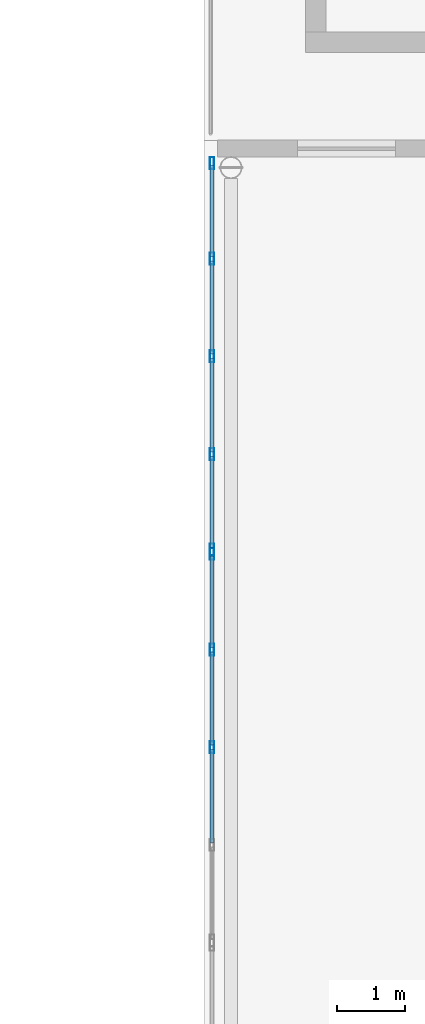
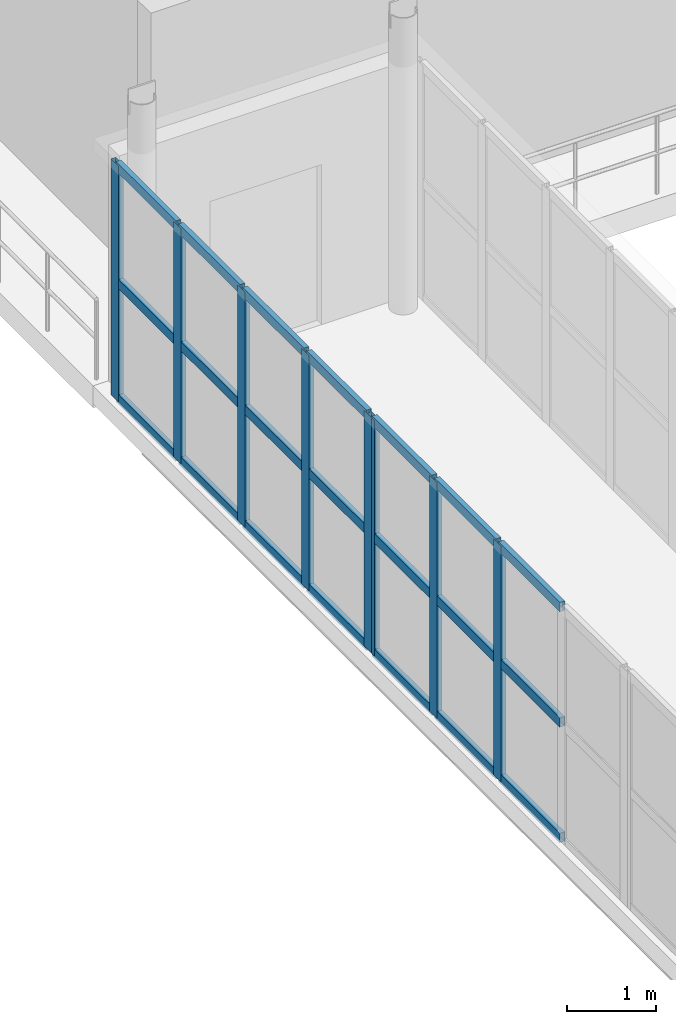
# One storey, part 32 of 52: 29 members, 2 elements without a shape of their own.
"""IFC4 building model written with IfcOpenShell, lengths in metres."""

from ifc_helpers import new_model, si_unit, direction, frame, origin, origin_2d, place, context, subcontext, project, spatial, hollow_rectangle, extrude, material, layer, layer_set, material_profile, profile_set, type_object, element, aggregate, save


model = new_model("IFC4")

# Units and contexts
model_context = context("Model", 3, precision=1e-05, world=origin(), true_north=direction((0.0, 1.0)))
body_context = subcontext(model_context, "Body", "Model", "MODEL_VIEW")
ifc_project = project(units=[si_unit("LENGTHUNIT", "METRE"), si_unit("AREAUNIT", "SQUARE_METRE"), si_unit("VOLUMEUNIT", "CUBIC_METRE"), si_unit("PLANEANGLEUNIT", "RADIAN"), si_unit("MASSUNIT", "GRAM", prefix="KILO")], contexts=[model_context])

# Site, building, storey
site_placement = place(None, origin())
site = spatial("IfcSite", under=ifc_project, at=site_placement, CompositionType="ELEMENT")
building_placement = place(site_placement, origin())
building = spatial("IfcBuilding", under=site, at=building_placement, Name="Valcora Specialist Clinic", CompositionType="ELEMENT")
storey_placement = place(building_placement, frame((0.0, 0.0, 17.679931640625)))
storey = spatial("IfcBuildingStorey", under=building, at=storey_placement, Name="L04", CompositionType="ELEMENT", Elevation=17.679931640625)

# Curtain wall, members
ifc_material = material(Name="Anodized Bronze Aluminium 6063-T6", Category="aluminium")
ifc_layer = layer(ifc_material, 0.175048828125)
ifc_layer_set = layer_set([ifc_layer], Name="Anodized Bronze Aluminium 6063-T6")
curtain_wall_type = type_object("IfcCurtainWallType", Name="TY-CW-BRG14", PredefinedType="NOTDEFINED", material=ifc_layer_set)
curtain_wall_1_placement = place(storey_placement, origin())
curtain_wall_1 = element("IfcCurtainWall", 1, at=curtain_wall_1_placement, inside=storey, type_object=curtain_wall_type, Name="Curtain wall CW-L04-274", PredefinedType="NOTDEFINED")
ifc_material_profile_1 = material_profile(ifc_material, hollow_rectangle(XDim=0.06494140625, YDim=0.175048828125, WallThickness=0.00390625, at=origin_2d()), Name="AL-MUL-65X175")
ifc_profile_set_1 = profile_set([ifc_material_profile_1], Name="Anodized Bronze Aluminium 6063-T6")
member_type_1 = type_object("IfcMemberType", Name="TY-CWM-65X175", PredefinedType="MULLION", material=ifc_profile_set_1)
member_1_placement = place(storey_placement, frame((61.320068359375, 65.050048828125, 0.0), z_axis=(0.0, 0.0, 1.0), x_axis=(-1.0, 0.0, 0.0)))
member_1 = element("IfcMember", 2, at=member_1_placement, type_object=member_type_1, Name="CW-BRG-14 mullion 3", PredefinedType="MULLION", context=body_context, shape_type="SweptSolid", body=[
    extrude(hollow_rectangle(XDim=0.06494140625, YDim=0.175048828125, WallThickness=0.00390625, at=origin_2d()), origin(), (0.0, 0.0, 1.0), 3.239990234375),
])
member_2_placement = place(storey_placement, frame((61.320068359375, 66.49169921875, 0.0), z_axis=(0.0, 0.0, 1.0), x_axis=(-1.0, 0.0, 0.0)))
member_2 = element("IfcMember", 3, at=member_2_placement, type_object=member_type_1, Name="CW-BRG-14 mullion 4", PredefinedType="MULLION", context=body_context, shape_type="SweptSolid", body=[
    extrude(hollow_rectangle(XDim=0.06494140625, YDim=0.175048828125, WallThickness=0.00390625, at=origin_2d()), origin(), (0.0, 0.0, 1.0), 3.239990234375),
])
member_3_placement = place(storey_placement, frame((61.320068359375, 67.90087890625, 0.0), z_axis=(0.0, 0.0, 1.0), x_axis=(-1.0, 0.0, 0.0)))
member_3 = element("IfcMember", 4, at=member_3_placement, type_object=member_type_1, Name="CW-BRG-14 mullion 5", PredefinedType="MULLION", context=body_context, shape_type="SweptSolid", body=[
    extrude(hollow_rectangle(XDim=0.06494140625, YDim=0.175048828125, WallThickness=0.00390625, at=origin_2d()), origin(), (0.0, 0.0, 1.0), 3.239990234375),
])

curtain_wall_2_placement = place(storey_placement, origin())
curtain_wall_2 = element("IfcCurtainWall", 5, at=curtain_wall_2_placement, inside=storey, type_object=curtain_wall_type, Name="Curtain wall CW-L04-275", PredefinedType="NOTDEFINED")
member_4_placement = place(storey_placement, frame((61.320068359375, 67.9658203125, 0.0), z_axis=(0.0, 0.0, 1.0), x_axis=(-1.0, 0.0, 0.0)))
member_4 = element("IfcMember", 6, at=member_4_placement, type_object=member_type_1, Name="CW-BRG-14 mullion 1", PredefinedType="MULLION", context=body_context, shape_type="SweptSolid", body=[
    extrude(hollow_rectangle(XDim=0.06494140625, YDim=0.175048828125, WallThickness=0.00390625, at=origin_2d()), origin(), (0.0, 0.0, 1.0), 3.239990234375),
])
member_5_placement = place(storey_placement, frame((61.320068359375, 69.375, 0.0), z_axis=(0.0, 0.0, 1.0), x_axis=(-1.0, 0.0, 0.0)))
member_5 = element("IfcMember", 7, at=member_5_placement, type_object=member_type_1, Name="CW-BRG-14 mullion 2", PredefinedType="MULLION", context=body_context, shape_type="SweptSolid", body=[
    extrude(hollow_rectangle(XDim=0.06494140625, YDim=0.175048828125, WallThickness=0.00390625, at=origin_2d()), origin(), (0.0, 0.0, 1.0), 3.239990234375),
])
member_6_placement = place(storey_placement, frame((61.320068359375, 70.816650390625, 0.0), z_axis=(0.0, 0.0, 1.0), x_axis=(-1.0, 0.0, 0.0)))
member_6 = element("IfcMember", 8, at=member_6_placement, type_object=member_type_1, Name="CW-BRG-14 mullion 3", PredefinedType="MULLION", context=body_context, shape_type="SweptSolid", body=[
    extrude(hollow_rectangle(XDim=0.06494140625, YDim=0.175048828125, WallThickness=0.00390625, at=origin_2d()), origin(), (0.0, 0.0, 1.0), 3.239990234375),
])
member_7_placement = place(storey_placement, frame((61.320068359375, 72.25830078125, 0.0), z_axis=(0.0, 0.0, 1.0), x_axis=(-1.0, 0.0, 0.0)))
member_7 = element("IfcMember", 9, at=member_7_placement, type_object=member_type_1, Name="CW-BRG-14 mullion 4", PredefinedType="MULLION", context=body_context, shape_type="SweptSolid", body=[
    extrude(hollow_rectangle(XDim=0.06494140625, YDim=0.175048828125, WallThickness=0.00390625, at=origin_2d()), origin(), (0.0, 0.0, 1.0), 3.239990234375),
])
member_8_placement = place(storey_placement, frame((61.320068359375, 73.66748046875, 0.0), z_axis=(0.0, 0.0, 1.0), x_axis=(-1.0, 0.0, 0.0)))
member_8 = element("IfcMember", 10, at=member_8_placement, type_object=member_type_1, Name="CW-BRG-14 mullion 5", PredefinedType="MULLION", context=body_context, shape_type="SweptSolid", body=[
    extrude(hollow_rectangle(XDim=0.06494140625, YDim=0.175048828125, WallThickness=0.00390625, at=origin_2d()), origin(), (0.0, 0.0, 1.0), 3.239990234375),
])

# Member
ifc_material_profile_2 = material_profile(ifc_material, hollow_rectangle(XDim=0.06494140625, YDim=0.1298828125, WallThickness=0.00390625, at=origin_2d()), Name="AL-TRN-65X130")
ifc_profile_set_2 = profile_set([ifc_material_profile_2], Name="Anodized Bronze Aluminium 6063-T6")
member_type_2 = type_object("IfcMemberType", Name="TY-CWT-65X130", PredefinedType="USERDEFINED", material=ifc_profile_set_2)
member_9_placement = place(storey_placement, frame((61.320068359375, 63.640869140625, 0.032470703125), z_axis=(0.0, 1.0, 0.0), x_axis=(-1.0, 0.0, 0.0)))
member_9 = element("IfcMember", 11, at=member_9_placement, type_object=member_type_2, Name="CW-BRG-14 transom 2.1", ObjectType="TRANSOM", PredefinedType="USERDEFINED", context=body_context, shape_type="SweptSolid", body=[
    extrude(hollow_rectangle(XDim=0.06494140625, YDim=0.1298828125, WallThickness=0.00390625, at=origin_2d()), origin(), (0.0, 0.0, 1.0), 1.376708984375),
])

member_10_placement = place(storey_placement, frame((61.320068359375, 63.640869140625, 1.6201171875), z_axis=(0.0, 1.0, 0.0), x_axis=(-1.0, 0.0, 0.0)))
member_10 = element("IfcMember", 12, at=member_10_placement, type_object=member_type_2, Name="CW-BRG-14 transom 2.2", ObjectType="TRANSOM", PredefinedType="USERDEFINED", context=body_context, shape_type="SweptSolid", body=[
    extrude(hollow_rectangle(XDim=0.06494140625, YDim=0.1298828125, WallThickness=0.00390625, at=origin_2d()), origin(), (0.0, 0.0, 1.0), 1.376708984375),
])

member_11_placement = place(storey_placement, frame((61.320068359375, 63.640869140625, 3.20751953125), z_axis=(0.0, 1.0, 0.0), x_axis=(-1.0, 0.0, 0.0)))
member_11 = element("IfcMember", 13, at=member_11_placement, type_object=member_type_2, Name="CW-BRG-14 transom 2.3", ObjectType="TRANSOM", PredefinedType="USERDEFINED", context=body_context, shape_type="SweptSolid", body=[
    extrude(hollow_rectangle(XDim=0.06494140625, YDim=0.1298828125, WallThickness=0.00390625, at=origin_2d()), origin(), (0.0, 0.0, 1.0), 1.376708984375),
])

member_12_placement = place(storey_placement, frame((61.320068359375, 65.08251953125, 0.032470703125), z_axis=(0.0, 1.0, 0.0), x_axis=(-1.0, 0.0, 0.0)))
member_12 = element("IfcMember", 14, at=member_12_placement, type_object=member_type_2, Name="CW-BRG-14 transom 3.1", ObjectType="TRANSOM", PredefinedType="USERDEFINED", context=body_context, shape_type="SweptSolid", body=[
    extrude(hollow_rectangle(XDim=0.06494140625, YDim=0.1298828125, WallThickness=0.00390625, at=origin_2d()), origin(), (0.0, 0.0, 1.0), 1.376708984375),
])

member_13_placement = place(storey_placement, frame((61.320068359375, 65.08251953125, 1.6201171875), z_axis=(0.0, 1.0, 0.0), x_axis=(-1.0, 0.0, 0.0)))
member_13 = element("IfcMember", 15, at=member_13_placement, type_object=member_type_2, Name="CW-BRG-14 transom 3.2", ObjectType="TRANSOM", PredefinedType="USERDEFINED", context=body_context, shape_type="SweptSolid", body=[
    extrude(hollow_rectangle(XDim=0.06494140625, YDim=0.1298828125, WallThickness=0.00390625, at=origin_2d()), origin(), (0.0, 0.0, 1.0), 1.376708984375),
])

member_14_placement = place(storey_placement, frame((61.320068359375, 65.08251953125, 3.20751953125), z_axis=(0.0, 1.0, 0.0), x_axis=(-1.0, 0.0, 0.0)))
member_14 = element("IfcMember", 16, at=member_14_placement, type_object=member_type_2, Name="CW-BRG-14 transom 3.3", ObjectType="TRANSOM", PredefinedType="USERDEFINED", context=body_context, shape_type="SweptSolid", body=[
    extrude(hollow_rectangle(XDim=0.06494140625, YDim=0.1298828125, WallThickness=0.00390625, at=origin_2d()), origin(), (0.0, 0.0, 1.0), 1.376708984375),
])

member_15_placement = place(storey_placement, frame((61.320068359375, 66.524169921875, 0.032470703125), z_axis=(0.0, 1.0, 0.0), x_axis=(-1.0, 0.0, 0.0)))
member_15 = element("IfcMember", 17, at=member_15_placement, type_object=member_type_2, Name="CW-BRG-14 transom 4.1", ObjectType="TRANSOM", PredefinedType="USERDEFINED", context=body_context, shape_type="SweptSolid", body=[
    extrude(hollow_rectangle(XDim=0.06494140625, YDim=0.1298828125, WallThickness=0.00390625, at=origin_2d()), origin(), (0.0, 0.0, 1.0), 1.34423828125),
])

member_16_placement = place(storey_placement, frame((61.320068359375, 66.524169921875, 1.6201171875), z_axis=(0.0, 1.0, 0.0), x_axis=(-1.0, 0.0, 0.0)))
member_16 = element("IfcMember", 18, at=member_16_placement, type_object=member_type_2, Name="CW-BRG-14 transom 4.2", ObjectType="TRANSOM", PredefinedType="USERDEFINED", context=body_context, shape_type="SweptSolid", body=[
    extrude(hollow_rectangle(XDim=0.06494140625, YDim=0.1298828125, WallThickness=0.00390625, at=origin_2d()), origin(), (0.0, 0.0, 1.0), 1.34423828125),
])

member_17_placement = place(storey_placement, frame((61.320068359375, 66.524169921875, 3.20751953125), z_axis=(0.0, 1.0, 0.0), x_axis=(-1.0, 0.0, 0.0)))
member_17 = element("IfcMember", 19, at=member_17_placement, type_object=member_type_2, Name="CW-BRG-14 transom 4.3", ObjectType="TRANSOM", PredefinedType="USERDEFINED", context=body_context, shape_type="SweptSolid", body=[
    extrude(hollow_rectangle(XDim=0.06494140625, YDim=0.1298828125, WallThickness=0.00390625, at=origin_2d()), origin(), (0.0, 0.0, 1.0), 1.34423828125),
])

aggregate(curtain_wall_1, [member_1, member_2, member_3, member_9, member_10, member_11, member_12, member_13, member_14, member_15, member_16, member_17])

member_18_placement = place(storey_placement, frame((61.320068359375, 67.998291015625, 0.032470703125), z_axis=(0.0, 1.0, 0.0), x_axis=(-1.0, 0.0, 0.0)))
member_18 = element("IfcMember", 20, at=member_18_placement, type_object=member_type_2, Name="CW-BRG-14 transom 1.1", ObjectType="TRANSOM", PredefinedType="USERDEFINED", context=body_context, shape_type="SweptSolid", body=[
    extrude(hollow_rectangle(XDim=0.06494140625, YDim=0.1298828125, WallThickness=0.00390625, at=origin_2d()), origin(), (0.0, 0.0, 1.0), 1.34423828125),
])

member_19_placement = place(storey_placement, frame((61.320068359375, 67.998291015625, 1.6201171875), z_axis=(0.0, 1.0, 0.0), x_axis=(-1.0, 0.0, 0.0)))
member_19 = element("IfcMember", 21, at=member_19_placement, type_object=member_type_2, Name="CW-BRG-14 transom 1.2", ObjectType="TRANSOM", PredefinedType="USERDEFINED", context=body_context, shape_type="SweptSolid", body=[
    extrude(hollow_rectangle(XDim=0.06494140625, YDim=0.1298828125, WallThickness=0.00390625, at=origin_2d()), origin(), (0.0, 0.0, 1.0), 1.34423828125),
])

member_20_placement = place(storey_placement, frame((61.320068359375, 67.998291015625, 3.20751953125), z_axis=(0.0, 1.0, 0.0), x_axis=(-1.0, 0.0, 0.0)))
member_20 = element("IfcMember", 22, at=member_20_placement, type_object=member_type_2, Name="CW-BRG-14 transom 1.3", ObjectType="TRANSOM", PredefinedType="USERDEFINED", context=body_context, shape_type="SweptSolid", body=[
    extrude(hollow_rectangle(XDim=0.06494140625, YDim=0.1298828125, WallThickness=0.00390625, at=origin_2d()), origin(), (0.0, 0.0, 1.0), 1.34423828125),
])

member_21_placement = place(storey_placement, frame((61.320068359375, 69.407470703125, 0.032470703125), z_axis=(0.0, 1.0, 0.0), x_axis=(-1.0, 0.0, 0.0)))
member_21 = element("IfcMember", 23, at=member_21_placement, type_object=member_type_2, Name="CW-BRG-14 transom 2.1", ObjectType="TRANSOM", PredefinedType="USERDEFINED", context=body_context, shape_type="SweptSolid", body=[
    extrude(hollow_rectangle(XDim=0.06494140625, YDim=0.1298828125, WallThickness=0.00390625, at=origin_2d()), origin(), (0.0, 0.0, 1.0), 1.376708984375),
])

member_22_placement = place(storey_placement, frame((61.320068359375, 69.407470703125, 1.6201171875), z_axis=(0.0, 1.0, 0.0), x_axis=(-1.0, 0.0, 0.0)))
member_22 = element("IfcMember", 24, at=member_22_placement, type_object=member_type_2, Name="CW-BRG-14 transom 2.2", ObjectType="TRANSOM", PredefinedType="USERDEFINED", context=body_context, shape_type="SweptSolid", body=[
    extrude(hollow_rectangle(XDim=0.06494140625, YDim=0.1298828125, WallThickness=0.00390625, at=origin_2d()), origin(), (0.0, 0.0, 1.0), 1.376708984375),
])

member_23_placement = place(storey_placement, frame((61.320068359375, 69.407470703125, 3.20751953125), z_axis=(0.0, 1.0, 0.0), x_axis=(-1.0, 0.0, 0.0)))
member_23 = element("IfcMember", 25, at=member_23_placement, type_object=member_type_2, Name="CW-BRG-14 transom 2.3", ObjectType="TRANSOM", PredefinedType="USERDEFINED", context=body_context, shape_type="SweptSolid", body=[
    extrude(hollow_rectangle(XDim=0.06494140625, YDim=0.1298828125, WallThickness=0.00390625, at=origin_2d()), origin(), (0.0, 0.0, 1.0), 1.376708984375),
])

member_24_placement = place(storey_placement, frame((61.320068359375, 70.84912109375, 0.032470703125), z_axis=(0.0, 1.0, 0.0), x_axis=(-1.0, 0.0, 0.0)))
member_24 = element("IfcMember", 26, at=member_24_placement, type_object=member_type_2, Name="CW-BRG-14 transom 3.1", ObjectType="TRANSOM", PredefinedType="USERDEFINED", context=body_context, shape_type="SweptSolid", body=[
    extrude(hollow_rectangle(XDim=0.06494140625, YDim=0.1298828125, WallThickness=0.00390625, at=origin_2d()), origin(), (0.0, 0.0, 1.0), 1.376708984375),
])

member_25_placement = place(storey_placement, frame((61.320068359375, 70.84912109375, 1.6201171875), z_axis=(0.0, 1.0, 0.0), x_axis=(-1.0, 0.0, 0.0)))
member_25 = element("IfcMember", 27, at=member_25_placement, type_object=member_type_2, Name="CW-BRG-14 transom 3.2", ObjectType="TRANSOM", PredefinedType="USERDEFINED", context=body_context, shape_type="SweptSolid", body=[
    extrude(hollow_rectangle(XDim=0.06494140625, YDim=0.1298828125, WallThickness=0.00390625, at=origin_2d()), origin(), (0.0, 0.0, 1.0), 1.376708984375),
])

member_26_placement = place(storey_placement, frame((61.320068359375, 70.84912109375, 3.20751953125), z_axis=(0.0, 1.0, 0.0), x_axis=(-1.0, 0.0, 0.0)))
member_26 = element("IfcMember", 28, at=member_26_placement, type_object=member_type_2, Name="CW-BRG-14 transom 3.3", ObjectType="TRANSOM", PredefinedType="USERDEFINED", context=body_context, shape_type="SweptSolid", body=[
    extrude(hollow_rectangle(XDim=0.06494140625, YDim=0.1298828125, WallThickness=0.00390625, at=origin_2d()), origin(), (0.0, 0.0, 1.0), 1.376708984375),
])

member_27_placement = place(storey_placement, frame((61.320068359375, 72.290771484375, 0.032470703125), z_axis=(0.0, 1.0, 0.0), x_axis=(-1.0, 0.0, 0.0)))
member_27 = element("IfcMember", 29, at=member_27_placement, type_object=member_type_2, Name="CW-BRG-14 transom 4.1", ObjectType="TRANSOM", PredefinedType="USERDEFINED", context=body_context, shape_type="SweptSolid", body=[
    extrude(hollow_rectangle(XDim=0.06494140625, YDim=0.1298828125, WallThickness=0.00390625, at=origin_2d()), origin(), (0.0, 0.0, 1.0), 1.34423828125),
])

member_28_placement = place(storey_placement, frame((61.320068359375, 72.290771484375, 1.6201171875), z_axis=(0.0, 1.0, 0.0), x_axis=(-1.0, 0.0, 0.0)))
member_28 = element("IfcMember", 30, at=member_28_placement, type_object=member_type_2, Name="CW-BRG-14 transom 4.2", ObjectType="TRANSOM", PredefinedType="USERDEFINED", context=body_context, shape_type="SweptSolid", body=[
    extrude(hollow_rectangle(XDim=0.06494140625, YDim=0.1298828125, WallThickness=0.00390625, at=origin_2d()), origin(), (0.0, 0.0, 1.0), 1.34423828125),
])

member_29_placement = place(storey_placement, frame((61.320068359375, 72.290771484375, 3.20751953125), z_axis=(0.0, 1.0, 0.0), x_axis=(-1.0, 0.0, 0.0)))
member_29 = element("IfcMember", 31, at=member_29_placement, type_object=member_type_2, Name="CW-BRG-14 transom 4.3", ObjectType="TRANSOM", PredefinedType="USERDEFINED", context=body_context, shape_type="SweptSolid", body=[
    extrude(hollow_rectangle(XDim=0.06494140625, YDim=0.1298828125, WallThickness=0.00390625, at=origin_2d()), origin(), (0.0, 0.0, 1.0), 1.34423828125),
])

aggregate(curtain_wall_2, [member_4, member_5, member_6, member_7, member_8, member_18, member_19, member_20, member_21, member_22, member_23, member_24, member_25, member_26, member_27, member_28, member_29])

save(model, "model.ifc")
